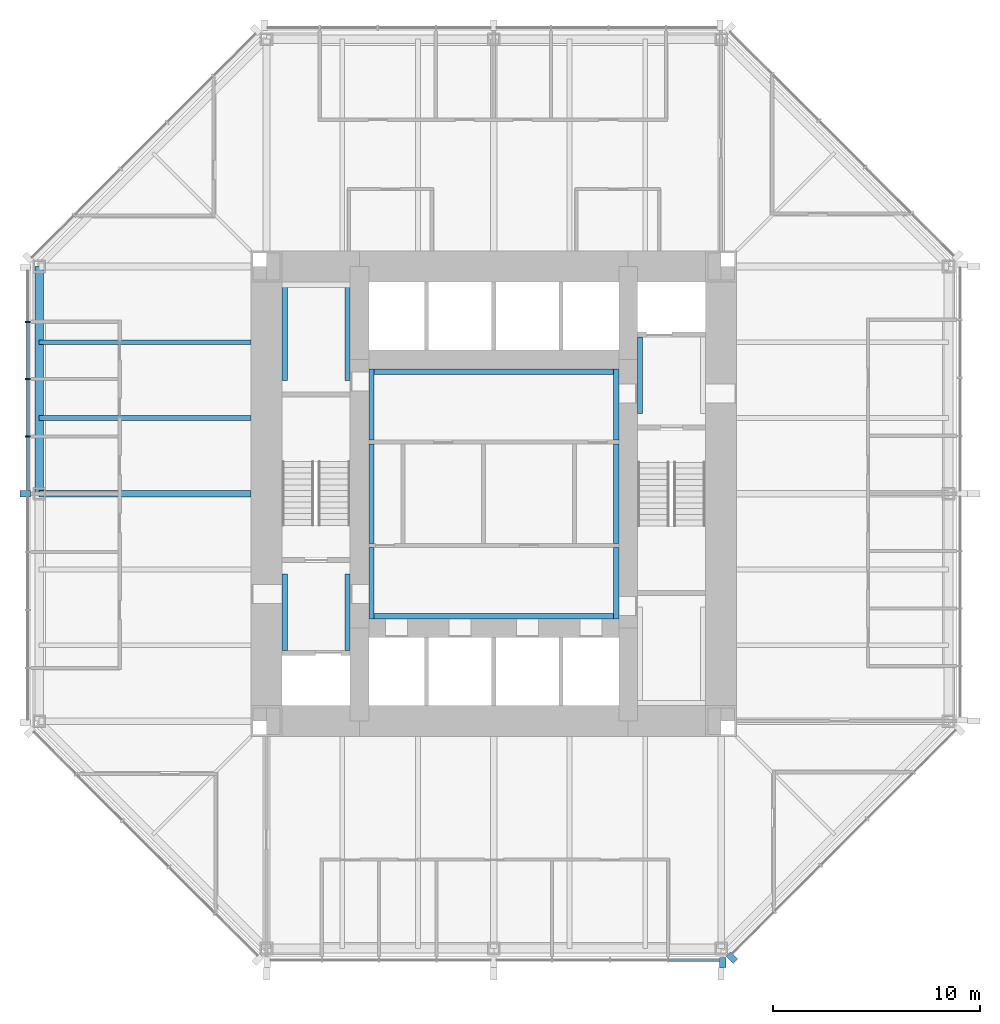
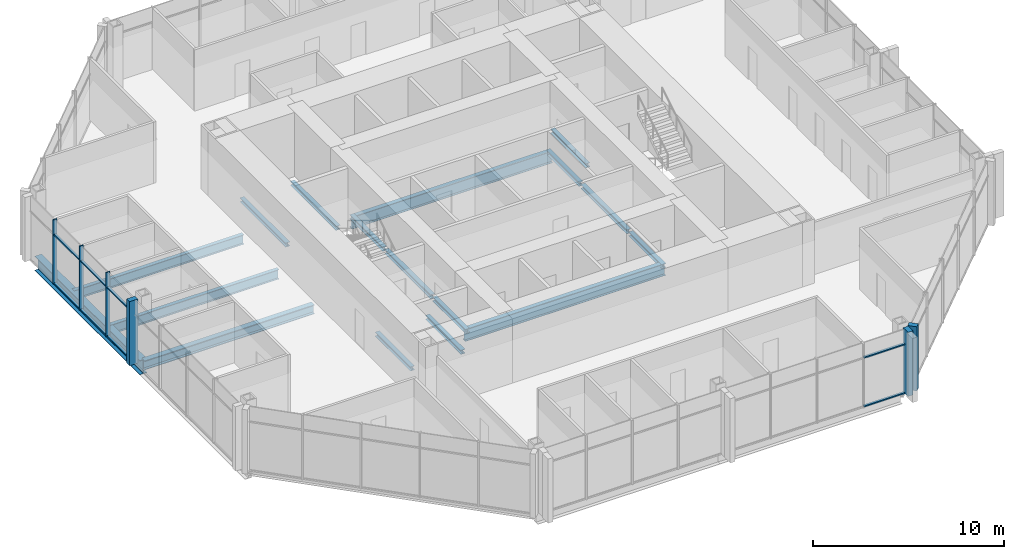
# One storey, part 3 of 12: 17 beams, 14 members, 3 elements without a shape of their own.
"""IFC4 building model written with IfcOpenShell, lengths in metres."""

from ifc_helpers import new_model, si_unit, direction, frame, origin, origin_2d, place, context, subcontext, project, spatial, rectangle, i_section, extrude, material, material_profile, profile_set, type_object, element, aggregate, save


model = new_model("IFC4")

# Units and contexts
model_context = context("Model", 3, precision=1e-05, world=origin(), true_north=direction((0.0, 1.0)))
body_context = subcontext(model_context, "Body", "Model", "MODEL_VIEW")
ifc_project = project(units=[si_unit("LENGTHUNIT", "METRE"), si_unit("AREAUNIT", "SQUARE_METRE"), si_unit("VOLUMEUNIT", "CUBIC_METRE"), si_unit("PLANEANGLEUNIT", "RADIAN"), si_unit("MASSUNIT", "GRAM", prefix="KILO")], contexts=[model_context])

# Site, building, storey
site_placement = place(None, origin())
site = spatial("IfcSite", under=ifc_project, at=site_placement, CompositionType="ELEMENT")
building_placement = place(site_placement, origin())
building = spatial("IfcBuilding", under=site, at=building_placement, Name="Trevanion Tower", CompositionType="ELEMENT")
storey_placement = place(building_placement, frame((0.0, 0.0, 162.300048828125)))
storey = spatial("IfcBuildingStorey", under=building, at=storey_placement, Name="L38", CompositionType="ELEMENT", Elevation=162.300048828125)

# Beams
ifc_material_1 = material(Name="Steel ASTM A992 Grade 50", Category="steel")
ifc_material_profile_1 = material_profile(ifc_material_1, i_section(OverallWidth=0.22900390625, OverallDepth=0.612060546875, WebThickness=0.011962890625, FlangeThickness=0.01953125, at=origin_2d()), Name="W24X84")
ifc_profile_set_1 = profile_set([ifc_material_profile_1], Name="Steel ASTM A992 Grade 50")
beam_type_1 = type_object("IfcBeamType", Name="B7 W24X84", PredefinedType="BEAM", material=ifc_profile_set_1)
for number, where, z_axis, x_axis, name in (
    (1, (-11.75, 7.333251953125, -0.49609375), (-1.0, 0.0, 0.0), (0.0, -1.0, 0.0), "B7 L38"),
    (2, (-11.75, 3.666748046875, -0.49609375), (-1.0, 0.0, 0.0), (0.0, -1.0, 0.0), "B7 L38"),
):
    element("IfcBeam", number, at=place(storey_placement, frame(where, z_axis=z_axis, x_axis=x_axis)), inside=storey, type_object=beam_type_1, Name=name, PredefinedType="BEAM", context=body_context, shape_type="SweptSolid", body=[
        extrude(i_section(OverallWidth=0.22900390625, OverallDepth=0.612060546875, WebThickness=0.011962890625, FlangeThickness=0.01953125, at=origin_2d()), origin(), (0.0, 0.0, 1.0), 10.25),
    ])

# Curtain wall, members
ifc_material_2 = material(Name="Aluminium and glass", Category="aluminium")
curtain_wall_type = type_object("IfcCurtainWallType", Name="CW2 curtain wall", PredefinedType="USERDEFINED", material=ifc_material_2)
curtain_wall_1_placement = place(storey_placement, origin())
curtain_wall_1 = element("IfcCurtainWall", 3, at=curtain_wall_1_placement, inside=storey, type_object=curtain_wall_type, Name="CW2 L38 4", ObjectType="UNITISED CURTAIN WALL", PredefinedType="USERDEFINED")
ifc_material_3 = material(Name="Aluminium extrusion, anodised bronze", Category="aluminium")
ifc_material_profile_2 = material_profile(ifc_material_3, rectangle(XDim=0.074951171875, YDim=0.25, at=origin_2d()), Name="CW2 mullion")
ifc_profile_set_2 = profile_set([ifc_material_profile_2], Name="Aluminium extrusion, anodised bronze")
member_type_1 = type_object("IfcMemberType", Name="CW2 mullion", PredefinedType="MULLION", material=ifc_profile_set_2)
member_1_placement = place(storey_placement, frame((-22.550048828125, 8.323486328125, -0.18994140625), z_axis=(0.0, 0.0, 1.0), x_axis=(0.0, -1.0, 0.0)))
member_1 = element("IfcMember", 4, at=member_1_placement, type_object=member_type_1, Name="CW2 mullion 2", PredefinedType="MULLION", context=body_context, shape_type="SweptSolid", body=[
    extrude(rectangle(XDim=0.074951171875, YDim=0.25, at=origin_2d()), origin(), (0.0, 0.0, 1.0), 4.099853515625),
])
member_2_placement = place(storey_placement, frame((-22.550048828125, 5.548828125, -0.18994140625), z_axis=(0.0, 0.0, 1.0), x_axis=(0.0, -1.0, 0.0)))
member_2 = element("IfcMember", 5, at=member_2_placement, type_object=member_type_1, Name="CW2 mullion 3", PredefinedType="MULLION", context=body_context, shape_type="SweptSolid", body=[
    extrude(rectangle(XDim=0.074951171875, YDim=0.25, at=origin_2d()), origin(), (0.0, 0.0, 1.0), 4.099853515625),
])
member_3_placement = place(storey_placement, frame((-22.550048828125, 2.7744140625, -0.18994140625), z_axis=(0.0, 0.0, 1.0), x_axis=(0.0, -1.0, 0.0)))
member_3 = element("IfcMember", 6, at=member_3_placement, type_object=member_type_1, Name="CW2 mullion 4", PredefinedType="MULLION", context=body_context, shape_type="SweptSolid", body=[
    extrude(rectangle(XDim=0.074951171875, YDim=0.25, at=origin_2d()), origin(), (0.0, 0.0, 1.0), 4.099853515625),
])
ifc_material_4 = material(Name="Aluminium extrusion, anodised bronze", Category="aluminium")
ifc_material_profile_3 = material_profile(ifc_material_4, rectangle(XDim=0.300048828125, YDim=0.5, at=origin_2d()), Name="CW2 pier mullion")
ifc_profile_set_3 = profile_set([ifc_material_profile_3], Name="Aluminium extrusion, anodised bronze")
member_type_2 = type_object("IfcMemberType", Name="CW2 pier mullion", PredefinedType="MULLION", material=ifc_profile_set_3)
member_4_placement = place(storey_placement, frame((-22.675048828125, 0.0, -0.18994140625), z_axis=(0.0, 0.0, 1.0), x_axis=(0.0, -1.0, 0.0)))
member_4 = element("IfcMember", 7, at=member_4_placement, type_object=member_type_2, Name="CW2 pier mullion 5", PredefinedType="MULLION", context=body_context, shape_type="SweptSolid", body=[
    extrude(rectangle(XDim=0.300048828125, YDim=0.5, at=origin_2d()), origin(), (0.0, 0.0, 1.0), 4.099853515625),
])

# Curtain wall, member
curtain_wall_2_placement = place(storey_placement, origin())
curtain_wall_2 = element("IfcCurtainWall", 8, at=curtain_wall_2_placement, inside=storey, type_object=curtain_wall_type, Name="CW2 L38 6", ObjectType="UNITISED CURTAIN WALL", PredefinedType="USERDEFINED")
member_5_placement = place(storey_placement, frame((11.077880859375, -22.675048828125, -0.18994140625), z_axis=(0.0, 0.0, 1.0), x_axis=(1.0, 0.0, 0.0)))
member_5 = element("IfcMember", 9, at=member_5_placement, type_object=member_type_2, Name="CW2 pier mullion 9", PredefinedType="MULLION", context=body_context, shape_type="SweptSolid", body=[
    extrude(rectangle(XDim=0.300048828125, YDim=0.5, at=origin_2d()), origin(), (0.0, 0.0, 1.0), 4.099853515625),
])

curtain_wall_3_placement = place(storey_placement, origin())
curtain_wall_3 = element("IfcCurtainWall", 10, at=curtain_wall_3_placement, inside=storey, type_object=curtain_wall_type, Name="CW2 L38 7", ObjectType="UNITISED CURTAIN WALL", PredefinedType="USERDEFINED")
member_6_placement = place(storey_placement, frame((11.51416015625, -22.4404296875, -0.18994140625), z_axis=(0.0, 0.0, 1.0), x_axis=(0.707106781187, 0.707106781187, 0.0)))
member_6 = element("IfcMember", 11, at=member_6_placement, type_object=member_type_2, Name="CW2 pier mullion 1", PredefinedType="MULLION", context=body_context, shape_type="SweptSolid", body=[
    extrude(rectangle(XDim=0.300048828125, YDim=0.5, at=origin_2d()), origin(), (0.0, 0.0, 1.0), 4.099853515625),
])
aggregate(curtain_wall_3, [member_6])

# Member
ifc_material_5 = material(Name="Aluminium extrusion, anodised bronze", Category="aluminium")
ifc_material_profile_4 = material_profile(ifc_material_5, rectangle(XDim=0.14990234375, YDim=0.074951171875, at=origin_2d()), Name="CW2 transom")
ifc_profile_set_4 = profile_set([ifc_material_profile_4], Name="Aluminium extrusion, anodised bronze")
member_type_3 = type_object("IfcMemberType", Name="CW2 transom", PredefinedType="USERDEFINED", material=ifc_profile_set_4)
member_7_placement = place(storey_placement, frame((-22.550048828125, 8.285888671875, -0.152587890625), z_axis=(0.0, -1.0, 0.0), x_axis=(1.0, 0.0, 0.0)))
member_7 = element("IfcMember", 12, at=member_7_placement, type_object=member_type_3, Name="CW2 transom 2.1", ObjectType="TRANSOM", PredefinedType="USERDEFINED", context=body_context, shape_type="SweptSolid", body=[
    extrude(rectangle(XDim=0.14990234375, YDim=0.074951171875, at=origin_2d()), origin(), (0.0, 0.0, 1.0), 2.699462890625),
])

member_8_placement = place(storey_placement, frame((-22.550048828125, 8.285888671875, 2.9599609375), z_axis=(0.0, -1.0, 0.0), x_axis=(1.0, 0.0, 0.0)))
member_8 = element("IfcMember", 13, at=member_8_placement, type_object=member_type_3, Name="CW2 transom 2.2", ObjectType="TRANSOM", PredefinedType="USERDEFINED", context=body_context, shape_type="SweptSolid", body=[
    extrude(rectangle(XDim=0.14990234375, YDim=0.074951171875, at=origin_2d()), origin(), (0.0, 0.0, 1.0), 2.699462890625),
])

member_9_placement = place(storey_placement, frame((-22.550048828125, 5.511474609375, -0.152587890625), z_axis=(0.0, -1.0, 0.0), x_axis=(1.0, 0.0, 0.0)))
member_9 = element("IfcMember", 14, at=member_9_placement, type_object=member_type_3, Name="CW2 transom 3.1", ObjectType="TRANSOM", PredefinedType="USERDEFINED", context=body_context, shape_type="SweptSolid", body=[
    extrude(rectangle(XDim=0.14990234375, YDim=0.074951171875, at=origin_2d()), origin(), (0.0, 0.0, 1.0), 2.699462890625),
])

member_10_placement = place(storey_placement, frame((-22.550048828125, 5.511474609375, 2.9599609375), z_axis=(0.0, -1.0, 0.0), x_axis=(1.0, 0.0, 0.0)))
member_10 = element("IfcMember", 15, at=member_10_placement, type_object=member_type_3, Name="CW2 transom 3.2", ObjectType="TRANSOM", PredefinedType="USERDEFINED", context=body_context, shape_type="SweptSolid", body=[
    extrude(rectangle(XDim=0.14990234375, YDim=0.074951171875, at=origin_2d()), origin(), (0.0, 0.0, 1.0), 2.699462890625),
])

member_11_placement = place(storey_placement, frame((-22.550048828125, 2.737060546875, -0.152587890625), z_axis=(0.0, -1.0, 0.0), x_axis=(1.0, 0.0, 0.0)))
member_11 = element("IfcMember", 16, at=member_11_placement, type_object=member_type_3, Name="CW2 transom 4.1", ObjectType="TRANSOM", PredefinedType="USERDEFINED", context=body_context, shape_type="SweptSolid", body=[
    extrude(rectangle(XDim=0.14990234375, YDim=0.074951171875, at=origin_2d()), origin(), (0.0, 0.0, 1.0), 2.587158203125),
])

member_12_placement = place(storey_placement, frame((-22.550048828125, 2.737060546875, 2.9599609375), z_axis=(0.0, -1.0, 0.0), x_axis=(1.0, 0.0, 0.0)))
member_12 = element("IfcMember", 17, at=member_12_placement, type_object=member_type_3, Name="CW2 transom 4.2", ObjectType="TRANSOM", PredefinedType="USERDEFINED", context=body_context, shape_type="SweptSolid", body=[
    extrude(rectangle(XDim=0.14990234375, YDim=0.074951171875, at=origin_2d()), origin(), (0.0, 0.0, 1.0), 2.587158203125),
])

aggregate(curtain_wall_1, [member_1, member_2, member_3, member_4, member_7, member_8, member_9, member_10, member_11, member_12])

member_13_placement = place(storey_placement, frame((8.45849609375, -22.550048828125, -0.152587890625), z_axis=(1.0, 0.0, 0.0), x_axis=(0.0, 1.0, 0.0)))
member_13 = element("IfcMember", 18, at=member_13_placement, type_object=member_type_3, Name="CW2 transom 8.1", ObjectType="TRANSOM", PredefinedType="USERDEFINED", context=body_context, shape_type="SweptSolid", body=[
    extrude(rectangle(XDim=0.14990234375, YDim=0.074951171875, at=origin_2d()), origin(), (0.0, 0.0, 1.0), 2.46923828125),
])

member_14_placement = place(storey_placement, frame((8.45849609375, -22.550048828125, 2.9599609375), z_axis=(1.0, 0.0, 0.0), x_axis=(0.0, 1.0, 0.0)))
member_14 = element("IfcMember", 19, at=member_14_placement, type_object=member_type_3, Name="CW2 transom 8.2", ObjectType="TRANSOM", PredefinedType="USERDEFINED", context=body_context, shape_type="SweptSolid", body=[
    extrude(rectangle(XDim=0.14990234375, YDim=0.074951171875, at=origin_2d()), origin(), (0.0, 0.0, 1.0), 2.46923828125),
])

aggregate(curtain_wall_2, [member_5, member_13, member_14])

# Beams
ifc_material_6 = material(Name="Steel ASTM A992 Grade 50", Category="steel")
ifc_material_profile_5 = material_profile(ifc_material_6, i_section(OverallWidth=0.320068359375, OverallDepth=0.584228515625, WebThickness=0.023193359375, FlangeThickness=0.04150390625, at=origin_2d()), Name="W21X201")
ifc_profile_set_5 = profile_set([ifc_material_profile_5], Name="Steel ASTM A992 Grade 50")
beam_type_2 = type_object("IfcBeamType", Name="G4 W21X201", PredefinedType="BEAM", material=ifc_profile_set_5)
beam_1_placement = place(storey_placement, frame((-11.75, 0.0, -0.482177734375), z_axis=(-1.0, 0.0, 0.0), x_axis=(0.0, -1.0, 0.0)))
element("IfcBeam", 20, at=beam_1_placement, inside=storey, type_object=beam_type_2, Name="G4 L38", PredefinedType="BEAM", context=body_context, shape_type="SweptSolid", body=[
    extrude(i_section(OverallWidth=0.320068359375, OverallDepth=0.584228515625, WebThickness=0.023193359375, FlangeThickness=0.04150390625, at=origin_2d()), origin(), (0.0, 0.0, 1.0), 10.25),
])
ifc_material_7 = material(Name="Steel ASTM A992 Grade 50", Category="steel")
ifc_material_profile_6 = material_profile(ifc_material_7, i_section(OverallWidth=0.256591796875, OverallDepth=0.26416015625, WebThickness=0.011962890625, FlangeThickness=0.01953125, at=origin_2d()), Name="W10X68")
ifc_profile_set_6 = profile_set([ifc_material_profile_6], Name="Steel ASTM A992 Grade 50")
beam_type_3 = type_object("IfcBeamType", Name="LB1 W10X68", PredefinedType="BEAM", material=ifc_profile_set_6)
for number, where, z_axis, x_axis, name in (
    (21, (-5.921630859375, 2.60009765625, -0.33203125), (0.0, 1.0, 0.0), (-1.0, 0.0, 0.0), "LB1 L38"),
    (22, (5.921630859375, 2.60009765625, -0.33203125), (0.0, 1.0, 0.0), (-1.0, 0.0, 0.0), "LB1 L38"),
    (23, (-5.921630859375, -6.050048828125, -0.33203125), (0.0, 1.0, 0.0), (-1.0, 0.0, 0.0), "LB1 L38"),
    (24, (5.921630859375, -6.050048828125, -0.33203125), (0.0, 1.0, 0.0), (-1.0, 0.0, 0.0), "LB1 L38"),
):
    element("IfcBeam", number, at=place(storey_placement, frame(where, z_axis=z_axis, x_axis=x_axis)), inside=storey, type_object=beam_type_3, Name=name, PredefinedType="BEAM", context=body_context, shape_type="SweptSolid", body=[
        extrude(i_section(OverallWidth=0.256591796875, OverallDepth=0.26416015625, WebThickness=0.011962890625, FlangeThickness=0.01953125, at=origin_2d()), origin(), (0.0, 0.0, 1.0), 3.449951171875),
    ])
for number, where, z_axis, x_axis, name in (
    (25, (7.078369140625, 3.875, -0.33203125), (0.0, 1.0, 0.0), (-1.0, 0.0, 0.0), "LB1 L38"),
    (26, (-10.12158203125, -7.574951171875, -0.33203125), (0.0, 1.0, 0.0), (-1.0, 0.0, 0.0), "LB1 L38"),
    (27, (-7.078369140625, -7.574951171875, -0.33203125), (0.0, 1.0, 0.0), (-1.0, 0.0, 0.0), "LB1 L38"),
):
    element("IfcBeam", number, at=place(storey_placement, frame(where, z_axis=z_axis, x_axis=x_axis)), inside=storey, type_object=beam_type_3, Name=name, PredefinedType="BEAM", context=body_context, shape_type="SweptSolid", body=[
        extrude(i_section(OverallWidth=0.256591796875, OverallDepth=0.26416015625, WebThickness=0.011962890625, FlangeThickness=0.01953125, at=origin_2d()), origin(), (0.0, 0.0, 1.0), 3.699951171875),
    ])
for number, where, z_axis, x_axis, name in (
    (28, (-10.12158203125, 5.47509765625, -0.33203125), (0.0, 1.0, 0.0), (-1.0, 0.0, 0.0), "LB1 L38"),
    (29, (-7.078369140625, 5.47509765625, -0.33203125), (0.0, 1.0, 0.0), (-1.0, 0.0, 0.0), "LB1 L38"),
):
    element("IfcBeam", number, at=place(storey_placement, frame(where, z_axis=z_axis, x_axis=x_axis)), inside=storey, type_object=beam_type_3, Name=name, PredefinedType="BEAM", context=body_context, shape_type="SweptSolid", body=[
        extrude(i_section(OverallWidth=0.256591796875, OverallDepth=0.26416015625, WebThickness=0.011962890625, FlangeThickness=0.01953125, at=origin_2d()), origin(), (0.0, 0.0, 1.0), 4.77490234375),
    ])
for number, where, z_axis, x_axis, name in (
    (30, (-5.921630859375, -2.39990234375, -0.33203125), (0.0, 1.0, 0.0), (-1.0, 0.0, 0.0), "LB1 L38"),
    (31, (5.921630859375, -2.39990234375, -0.33203125), (0.0, 1.0, 0.0), (-1.0, 0.0, 0.0), "LB1 L38"),
):
    element("IfcBeam", number, at=place(storey_placement, frame(where, z_axis=z_axis, x_axis=x_axis)), inside=storey, type_object=beam_type_3, Name=name, PredefinedType="BEAM", context=body_context, shape_type="SweptSolid", body=[
        extrude(i_section(OverallWidth=0.256591796875, OverallDepth=0.26416015625, WebThickness=0.011962890625, FlangeThickness=0.01953125, at=origin_2d()), origin(), (0.0, 0.0, 1.0), 4.7998046875),
    ])
ifc_material_8 = material(Name="Steel ASTM A992 Grade 50", Category="steel")
ifc_material_profile_7 = material_profile(ifc_material_8, i_section(OverallWidth=0.2666015625, OverallDepth=0.76953125, WebThickness=0.015625, FlangeThickness=0.025390625, at=origin_2d()), Name="W30X132")
ifc_profile_set_7 = profile_set([ifc_material_profile_7], Name="Steel ASTM A992 Grade 50")
beam_type_4 = type_object("IfcBeamType", Name="LB3 W30X132", PredefinedType="BEAM", material=ifc_profile_set_7)
for number, where, z_axis, x_axis, name in (
    (32, (-6.050048828125, 5.91650390625, -0.5849609375), (1.0, 0.0, 0.0), (0.0, 1.0, 0.0), "LB3 L38"),
    (33, (-6.050048828125, -5.91650390625, -0.5849609375), (1.0, 0.0, 0.0), (0.0, 1.0, 0.0), "LB3 L38"),
):
    element("IfcBeam", number, at=place(storey_placement, frame(where, z_axis=z_axis, x_axis=x_axis)), inside=storey, type_object=beam_type_4, Name=name, PredefinedType="BEAM", context=body_context, shape_type="SweptSolid", body=[
        extrude(i_section(OverallWidth=0.2666015625, OverallDepth=0.76953125, WebThickness=0.015625, FlangeThickness=0.025390625, at=origin_2d()), origin(), (0.0, 0.0, 1.0), 12.10009765625),
    ])
ifc_material_9 = material(Name="Steel ASTM A992 Grade 50", Category="steel")
ifc_material_profile_8 = material_profile(ifc_material_9, i_section(OverallWidth=0.419189453125, OverallDepth=0.927001953125, WebThickness=0.019287109375, FlangeThickness=0.031982421875, at=origin_2d()), Name="W36X231")
ifc_profile_set_8 = profile_set([ifc_material_profile_8], Name="Steel ASTM A992 Grade 50")
beam_type_5 = type_object("IfcBeamType", Name="SB4 W36X231", PredefinedType="SPANDREL", material=ifc_profile_set_8)
beam_2_placement = place(storey_placement, frame((-22.0, 11.0, -0.653564453125), z_axis=(0.0, -1.0, 0.0), x_axis=(1.0, 0.0, 0.0)))
element("IfcBeam", 34, at=beam_2_placement, inside=storey, type_object=beam_type_5, Name="SB4 L38", PredefinedType="SPANDREL", context=body_context, shape_type="SweptSolid", body=[
    extrude(i_section(OverallWidth=0.419189453125, OverallDepth=0.927001953125, WebThickness=0.019287109375, FlangeThickness=0.031982421875, at=origin_2d()), origin(), (0.0, 0.0, 1.0), 11.0),
])

save(model, "model.ifc")
